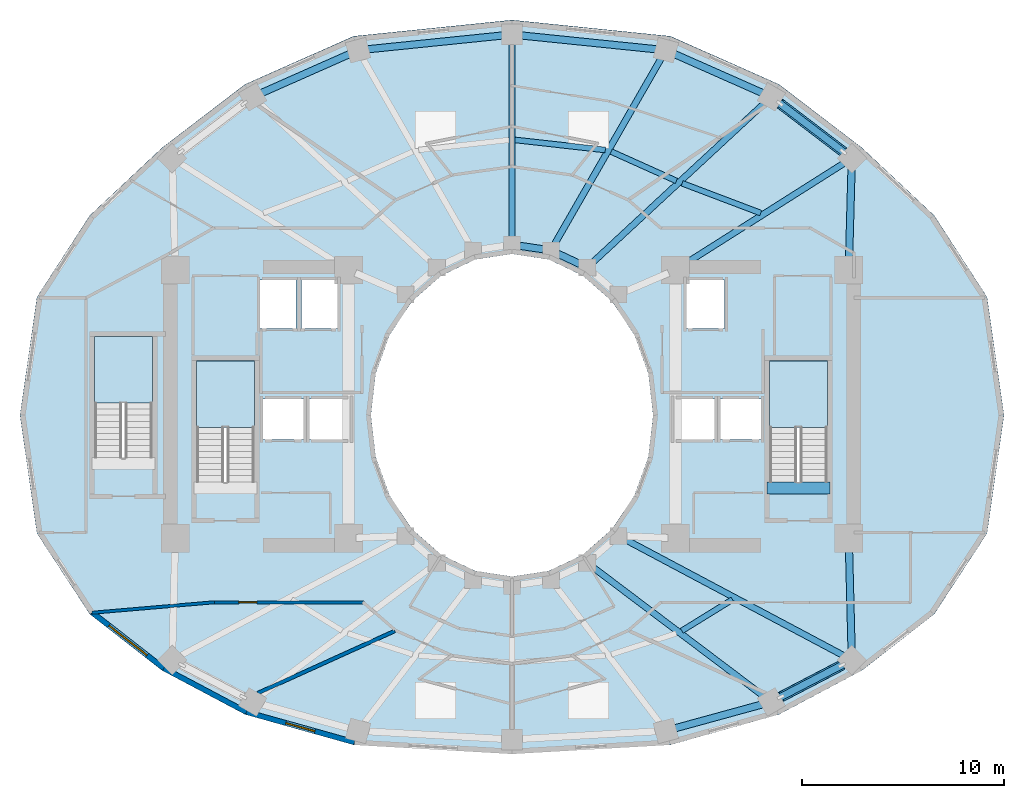
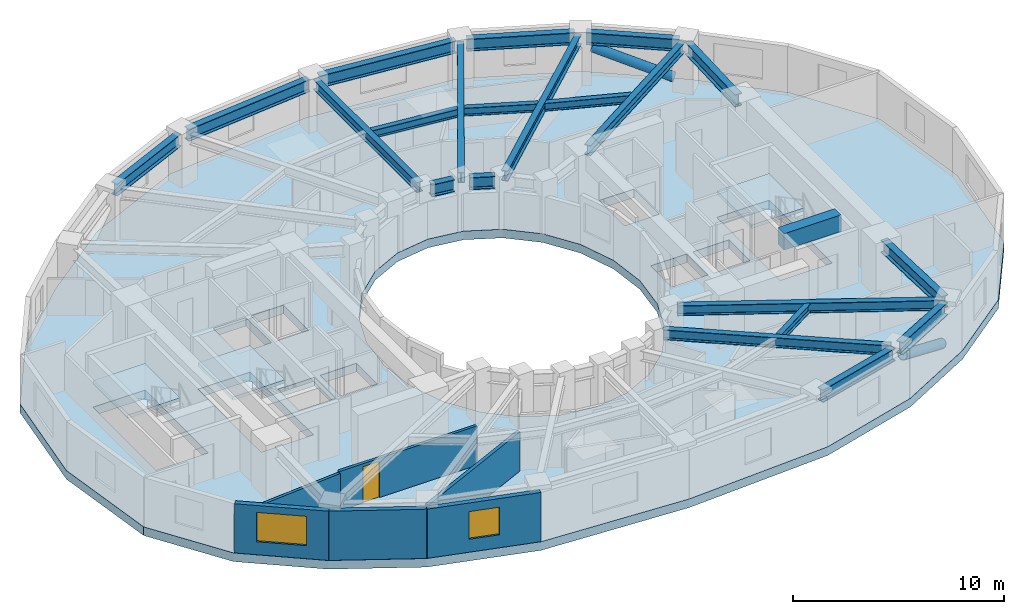
# One storey, part 2 of 9: 22 beams, 6 walls, 4 slabs, 2 members, 2 windows, 1 door, 3 openings, 3 elements without a shape of their own.
"""IFC4 building model written with IfcOpenShell, lengths in metres."""

from ifc_helpers import new_model, si_unit, direction, frame, frame_2d, origin, origin_2d, place, context, subcontext, project, spatial, polyline, rectangle, hollow_circle, i_section, outline, extrude, material, layer, layer_set, material_profile, profile_set, type_object, element, fill, aggregate, save


model = new_model("IFC4")

# Units and contexts
model_context = context("Model", 3, precision=1e-05, world=origin(), true_north=direction((0.0, 1.0)))
body_context = subcontext(model_context, "Body", "Model", "MODEL_VIEW")
ifc_project = project(units=[si_unit("LENGTHUNIT", "METRE"), si_unit("AREAUNIT", "SQUARE_METRE"), si_unit("VOLUMEUNIT", "CUBIC_METRE"), si_unit("PLANEANGLEUNIT", "RADIAN"), si_unit("MASSUNIT", "GRAM", prefix="KILO")], contexts=[model_context])

# Site, building, storey
site_placement = place(None, origin())
site = spatial("IfcSite", under=ifc_project, at=site_placement, CompositionType="ELEMENT")
building_placement = place(site_placement, origin())
building = spatial("IfcBuilding", under=site, at=building_placement, Name="Solvane Sanctuary Tower", CompositionType="ELEMENT")
storey_placement = place(building_placement, frame((0.0, 0.0, 113.5)))
storey = spatial("IfcBuildingStorey", under=building, at=storey_placement, Name="L34", CompositionType="ELEMENT", Elevation=113.5)

# Beams
ifc_material_1 = material(Name="Concrete C70/85", Category="concrete")
ifc_material_profile_1 = material_profile(ifc_material_1, rectangle(XDim=0.60009765625, YDim=0.949951171875, at=origin_2d()), Name="RC600X950")
ifc_profile_set_1 = profile_set([ifc_material_profile_1], Name="Concrete C70/85")
beam_type_1 = type_object("IfcBeamType", Name="Beam B-COUPLE RC600X950", PredefinedType="LINTEL", material=ifc_profile_set_1)
beam_1_placement = place(storey_placement, frame((44.64990234375, 19.399169921875, 2.625), z_axis=(1.0, 0.0, 0.0), x_axis=(0.0, 1.0, 0.0)))
element("IfcBeam", 1, at=beam_1_placement, inside=storey, type_object=beam_type_1, Name="L34 ST-2 Stair Floor Landing Trimmer", PredefinedType="LINTEL", context=body_context, shape_type="SweptSolid", body=[
    extrude(rectangle(XDim=0.60009765625, YDim=0.949951171875, at=origin_2d()), origin(), (0.0, 0.0, 1.0), 3.1201171875),
])
ifc_material_2 = material(Name="Steel ASTM A992 Grade 50", Category="steel")
ifc_material_profile_2 = material_profile(ifc_material_2, i_section(OverallWidth=0.31494140625, OverallDepth=0.575927734375, WebThickness=0.01513671875, FlangeThickness=0.0244140625, FilletRadius=0.014892578125, at=origin_2d()), Name="W21X122")
ifc_profile_set_2 = profile_set([ifc_material_profile_2], Name="Steel ASTM A992 Grade 50")
beam_type_2 = type_object("IfcBeamType", Name="Beam B-RAD-Z2 W21X122", PredefinedType="BEAM", material=ifc_profile_set_2)
beam_2_placement = place(storey_placement, frame((40.404052734375, 30.392578125, 2.590087890625), z_axis=(0.844853889678, 0.534997107558, 0.0), x_axis=(-0.534997107558, 0.844853889678, 0.0)))
element("IfcBeam", 2, at=beam_2_placement, inside=storey, type_object=beam_type_2, Name="L34 Radial Composite Floor Beam 01", PredefinedType="BEAM", context=body_context, shape_type="SweptSolid", body=[
    extrude(i_section(OverallWidth=0.31494140625, OverallDepth=0.575927734375, WebThickness=0.01513671875, FlangeThickness=0.0244140625, FilletRadius=0.014892578125, at=origin_2d()), origin(), (0.0, 0.0, 1.0), 9.720458984375),
])
beam_3_placement = place(storey_placement, frame((35.935302734375, 30.516845703125, 2.590087890625), z_axis=(0.733453775248, 0.679739332078, 0.0), x_axis=(-0.679739332078, 0.733453775248, 0.0)))
element("IfcBeam", 3, at=beam_3_placement, inside=storey, type_object=beam_type_2, Name="L34 Radial Composite Floor Beam 02", PredefinedType="BEAM", context=body_context, shape_type="SweptSolid", body=[
    extrude(i_section(OverallWidth=0.31494140625, OverallDepth=0.575927734375, WebThickness=0.01513671875, FlangeThickness=0.0244140625, FilletRadius=0.014892578125, at=origin_2d()), origin(), (0.0, 0.0, 1.0), 11.885498046875),
])
beam_4_placement = place(storey_placement, frame((34.0703125, 31.41455078125, 2.590087890625), z_axis=(0.497792245326, 0.8672963049, 0.0), x_axis=(-0.8672963049, 0.497792245326, 0.0)))
element("IfcBeam", 4, at=beam_4_placement, inside=storey, type_object=beam_type_2, Name="L34 Radial Composite Floor Beam 03", PredefinedType="BEAM", context=body_context, shape_type="SweptSolid", body=[
    extrude(i_section(OverallWidth=0.31494140625, OverallDepth=0.575927734375, WebThickness=0.01513671875, FlangeThickness=0.0244140625, FilletRadius=0.014892578125, at=origin_2d()), origin(), (0.0, 0.0, 1.0), 10.887451171875),
])
beam_5_placement = place(storey_placement, frame((32.0, 31.739990234375, 2.590087890625), z_axis=(0.0, 1.0, 0.0), x_axis=(-1.0, 0.0, 0.0)))
element("IfcBeam", 5, at=beam_5_placement, inside=storey, type_object=beam_type_2, Name="L34 Radial Composite Floor Beam 04", PredefinedType="BEAM", context=body_context, shape_type="SweptSolid", body=[
    extrude(i_section(OverallWidth=0.31494140625, OverallDepth=0.575927734375, WebThickness=0.01513671875, FlangeThickness=0.0244140625, FilletRadius=0.014892578125, at=origin_2d()), origin(), (0.0, 0.0, 1.0), 9.860107421875),
])
beam_6_placement = place(storey_placement, frame((35.95361328125, 15.504638671875, 2.590087890625), z_axis=(0.798116040134, -0.602503764703, 0.0), x_axis=(0.602503764703, 0.798116040134, 0.0)))
element("IfcBeam", 6, at=beam_6_placement, inside=storey, type_object=beam_type_2, Name="L34 Radial Composite Floor Beam 13", PredefinedType="BEAM", context=body_context, shape_type="SweptSolid", body=[
    extrude(i_section(OverallWidth=0.31494140625, OverallDepth=0.575927734375, WebThickness=0.01513671875, FlangeThickness=0.0244140625, FilletRadius=0.014892578125, at=origin_2d()), origin(), (0.0, 0.0, 1.0), 10.876953125),
])
beam_7_placement = place(storey_placement, frame((37.522216796875, 16.886474609375, 2.590087890625), z_axis=(0.882951984843, -0.469463302572, 0.0), x_axis=(0.469463302572, 0.882951984843, 0.0)))
element("IfcBeam", 7, at=beam_7_placement, inside=storey, type_object=beam_type_2, Name="L34 Radial Composite Floor Beam 14", PredefinedType="BEAM", context=body_context, shape_type="SweptSolid", body=[
    extrude(i_section(OverallWidth=0.31494140625, OverallDepth=0.575927734375, WebThickness=0.01513671875, FlangeThickness=0.0244140625, FilletRadius=0.014892578125, at=origin_2d()), origin(), (0.0, 0.0, 1.0), 12.552734375),
])
ifc_material_profile_3 = material_profile(ifc_material_2, i_section(OverallWidth=0.35498046875, OverallDepth=0.695068359375, WebThickness=0.015380859375, FlangeThickness=0.02490234375, FilletRadius=0.01806640625, at=origin_2d()), Name="W27X146")
ifc_profile_set_3 = profile_set([ifc_material_profile_3], Name="Steel ASTM A992 Grade 50")
beam_type_3 = type_object("IfcBeamType", Name="Beam B-RING-IN1 W27X146", PredefinedType="BEAM", material=ifc_profile_set_3)
beam_8_placement = place(storey_placement, frame((32.390625, 31.401611328125, 2.530517578125), z_axis=(0.989034751611, -0.147682971619, 0.0), x_axis=(0.147682971619, 0.989034751611, 0.0)))
element("IfcBeam", 8, at=beam_8_placement, inside=storey, type_object=beam_type_3, Name="L34 Inner Light-Well Ring Beam IC04-IC03", PredefinedType="BEAM", context=body_context, shape_type="SweptSolid", body=[
    extrude(i_section(OverallWidth=0.35498046875, OverallDepth=0.695068359375, WebThickness=0.015380859375, FlangeThickness=0.02490234375, FilletRadius=0.01806640625, at=origin_2d()), origin(), (0.0, 0.0, 1.0), 1.162109375),
])
beam_9_placement = place(storey_placement, frame((34.288330078125, 31.00390625, 2.530517578125), z_axis=(0.905044882818, -0.425316070804, 0.0), x_axis=(0.425316070804, 0.905044882818, 0.0)))
element("IfcBeam", 9, at=beam_9_placement, inside=storey, type_object=beam_type_3, Name="L34 Inner Light-Well Ring Beam IC03-IC02", PredefinedType="BEAM", context=body_context, shape_type="SweptSolid", body=[
    extrude(i_section(OverallWidth=0.35498046875, OverallDepth=0.695068359375, WebThickness=0.015380859375, FlangeThickness=0.02490234375, FilletRadius=0.01806640625, at=origin_2d()), origin(), (0.0, 0.0, 1.0), 1.197998046875),
])
ifc_material_profile_4 = material_profile(ifc_material_2, i_section(OverallWidth=0.280029296875, OverallDepth=0.462890625, WebThickness=0.0107421875, FlangeThickness=0.017333984375, FilletRadius=0.013916015625, at=origin_2d()), Name="W18X76")
ifc_profile_set_4 = profile_set([ifc_material_profile_4], Name="Steel ASTM A992 Grade 50")
beam_type_4 = type_object("IfcBeamType", Name="Beam B-SEC-JOIST W18X76", PredefinedType="JOIST", material=ifc_profile_set_4)
beam_10_placement = place(storey_placement, frame((32.151611328125, 36.653076171875, 2.646484375), z_axis=(0.993814804173, -0.111050146357, 0.0), x_axis=(0.111050146357, 0.993814804173, 0.0)))
element("IfcBeam", 10, at=beam_10_placement, inside=storey, type_object=beam_type_4, Name="L34 Secondary Circumferential Joist 04-03", PredefinedType="JOIST", context=body_context, shape_type="SweptSolid", body=[
    extrude(i_section(OverallWidth=0.280029296875, OverallDepth=0.462890625, WebThickness=0.0107421875, FlangeThickness=0.017333984375, FilletRadius=0.013916015625, at=origin_2d()), origin(), (0.0, 0.0, 1.0), 4.504638671875),
])
beam_11_placement = place(storey_placement, frame((36.919189453125, 36.073486328125, 2.646484375), z_axis=(0.912083673068, -0.410004113787, 0.0), x_axis=(0.410004113787, 0.912083673068, 0.0)))
element("IfcBeam", 11, at=beam_11_placement, inside=storey, type_object=beam_type_4, Name="L34 Secondary Circumferential Joist 03-02", PredefinedType="JOIST", context=body_context, shape_type="SweptSolid", body=[
    extrude(i_section(OverallWidth=0.280029296875, OverallDepth=0.462890625, WebThickness=0.0107421875, FlangeThickness=0.017333984375, FilletRadius=0.013916015625, at=origin_2d()), origin(), (0.0, 0.0, 1.0), 3.5478515625),
])
beam_12_placement = place(storey_placement, frame((40.436767578125, 34.50244140625, 2.646484375), z_axis=(0.93509327646, -0.354401699091, 0.0), x_axis=(0.354401699091, 0.93509327646, 0.0)))
element("IfcBeam", 12, at=beam_12_placement, inside=storey, type_object=beam_type_4, Name="L34 Secondary Circumferential Joist 02-01", PredefinedType="JOIST", context=body_context, shape_type="SweptSolid", body=[
    extrude(i_section(OverallWidth=0.280029296875, OverallDepth=0.462890625, WebThickness=0.0107421875, FlangeThickness=0.017333984375, FilletRadius=0.013916015625, at=origin_2d()), origin(), (0.0, 0.0, 1.0), 4.167724609375),
])
beam_13_placement = place(storey_placement, frame((40.423828125, 12.30810546875, 2.646484375), z_axis=(0.85065981691, 0.525716535687, 0.0), x_axis=(-0.525716535687, 0.85065981691, 0.0)))
element("IfcBeam", 13, at=beam_13_placement, inside=storey, type_object=beam_type_4, Name="L34 Secondary Circumferential Joist 13-14", PredefinedType="JOIST", context=body_context, shape_type="SweptSolid", body=[
    extrude(i_section(OverallWidth=0.280029296875, OverallDepth=0.462890625, WebThickness=0.0107421875, FlangeThickness=0.017333984375, FilletRadius=0.013916015625, at=origin_2d()), origin(), (0.0, 0.0, 1.0), 2.951171875),
])
ifc_material_profile_5 = material_profile(ifc_material_2, i_section(OverallWidth=0.35791015625, OverallDepth=0.7060546875, WebThickness=0.018310546875, FlangeThickness=0.0302734375, FilletRadius=0.01806640625, at=origin_2d()), Name="W27X178")
ifc_profile_set_5 = profile_set([ifc_material_profile_5], Name="Steel ASTM A992 Grade 50")
beam_type_5 = type_object("IfcBeamType", Name="Beam B-SPAND-Z2 W27X178", PredefinedType="SPANDREL", material=ifc_profile_set_5)
beam_14_placement = place(storey_placement, frame((19.397705078125, 38.8994140625, 2.52490234375), z_axis=(0.914454505181, 0.404688717355, 0.0), x_axis=(-0.404688717355, 0.914454505181, 0.0)))
element("IfcBeam", 14, at=beam_14_placement, inside=storey, type_object=beam_type_5, Name="L34 Perimeter Spandrel Beam TC06-TC05", PredefinedType="SPANDREL", context=body_context, shape_type="SweptSolid", body=[
    extrude(i_section(OverallWidth=0.35791015625, OverallDepth=0.7060546875, WebThickness=0.018310546875, FlangeThickness=0.0302734375, FilletRadius=0.01806640625, at=origin_2d()), origin(), (0.0, 0.0, 1.0), 5.157958984375),
])
for number, where, z_axis, x_axis, name in (
    (15, (24.649169921875, 41.12841796875, 2.52490234375), (0.994813029025, 0.101720387737, 0.0), (-0.101720387737, 0.994813029025, 0.0), "L34 Perimeter Spandrel Beam TC05-TC04"),
    (16, (32.278564453125, 41.8515625, 2.52490234375), (0.994813029025, -0.101720387737, 0.0), (0.101720387737, 0.994813029025, 0.0), "L34 Perimeter Spandrel Beam TC04-TC03"),
):
    element("IfcBeam", number, at=place(storey_placement, frame(where, z_axis=z_axis, x_axis=x_axis)), inside=storey, type_object=beam_type_5, Name=name, PredefinedType="SPANDREL", context=body_context, shape_type="SweptSolid", body=[
        extrude(i_section(OverallWidth=0.35791015625, OverallDepth=0.7060546875, WebThickness=0.018310546875, FlangeThickness=0.0302734375, FilletRadius=0.01806640625, at=origin_2d()), origin(), (0.0, 0.0, 1.0), 7.109130859375),
    ])
beam_15_placement = place(storey_placement, frame((39.885498046875, 40.98681640625, 2.52490234375), z_axis=(0.914454505181, -0.404688717355, 0.0), x_axis=(0.404688717355, 0.914454505181, 0.0)))
element("IfcBeam", 17, at=beam_15_placement, inside=storey, type_object=beam_type_5, Name="L34 Perimeter Spandrel Beam TC03-TC02", PredefinedType="SPANDREL", context=body_context, shape_type="SweptSolid", body=[
    extrude(i_section(OverallWidth=0.35791015625, OverallDepth=0.7060546875, WebThickness=0.018310546875, FlangeThickness=0.0302734375, FilletRadius=0.01806640625, at=origin_2d()), origin(), (0.0, 0.0, 1.0), 5.157958984375),
])
beam_16_placement = place(storey_placement, frame((45.0810546875, 38.616455078125, 2.52490234375), z_axis=(0.795473167932, -0.605988811036, 0.0), x_axis=(0.605988811036, 0.795473167932, 0.0)))
element("IfcBeam", 18, at=beam_16_placement, inside=storey, type_object=beam_type_5, Name="L34 Perimeter Spandrel Beam TC02-TC01", PredefinedType="SPANDREL", context=body_context, shape_type="SweptSolid", body=[
    extrude(i_section(OverallWidth=0.35791015625, OverallDepth=0.7060546875, WebThickness=0.018310546875, FlangeThickness=0.0302734375, FilletRadius=0.01806640625, at=origin_2d()), origin(), (0.0, 0.0, 1.0), 4.4619140625),
])
beam_17_placement = place(storey_placement, frame((48.84521484375, 35.462890625, 2.52490234375), z_axis=(-0.027574028772, -0.999619764179, 0.0), x_axis=(0.999619764179, -0.027574028772, 0.0)))
element("IfcBeam", 19, at=beam_17_placement, inside=storey, type_object=beam_type_5, Name="L34 Perimeter Spandrel Beam TC01-CE3", PredefinedType="SPANDREL", context=body_context, shape_type="SweptSolid", body=[
    extrude(i_section(OverallWidth=0.35791015625, OverallDepth=0.7060546875, WebThickness=0.018310546875, FlangeThickness=0.0302734375, FilletRadius=0.01806640625, at=origin_2d()), origin(), (0.0, 0.0, 1.0), 4.98486328125),
])
beam_18_placement = place(storey_placement, frame((39.8994140625, 7.422119140625, 2.52490234375), z_axis=(0.964367605241, 0.26456591232, 0.0), x_axis=(-0.26456591232, 0.964367605241, 0.0)))
element("IfcBeam", 20, at=beam_18_placement, inside=storey, type_object=beam_type_5, Name="L34 Perimeter Spandrel Beam TC12-TC13", PredefinedType="SPANDREL", context=body_context, shape_type="SweptSolid", body=[
    extrude(i_section(OverallWidth=0.35791015625, OverallDepth=0.7060546875, WebThickness=0.018310546875, FlangeThickness=0.0302734375, FilletRadius=0.01806640625, at=origin_2d()), origin(), (0.0, 0.0, 1.0), 4.8623046875),
])
beam_19_placement = place(storey_placement, frame((45.106689453125, 8.911865234375, 2.52490234375), z_axis=(0.887014995188, 0.461740618002, 0.0), x_axis=(-0.461740618002, 0.887014995188, 0.0)))
element("IfcBeam", 21, at=beam_19_placement, inside=storey, type_object=beam_type_5, Name="L34 Perimeter Spandrel Beam TC13-TC14", PredefinedType="SPANDREL", context=body_context, shape_type="SweptSolid", body=[
    extrude(i_section(OverallWidth=0.35791015625, OverallDepth=0.7060546875, WebThickness=0.018310546875, FlangeThickness=0.0302734375, FilletRadius=0.01806640625, at=origin_2d()), origin(), (0.0, 0.0, 1.0), 3.943359375),
])
beam_20_placement = place(storey_placement, frame((48.845947265625, 11.141845703125, 2.52490234375), z_axis=(-0.025349487585, 0.999678650107, 0.0), x_axis=(-0.999678650107, -0.025349487585, 0.0)))
element("IfcBeam", 22, at=beam_20_placement, inside=storey, type_object=beam_type_5, Name="L34 Perimeter Spandrel Beam TC14-CE2", PredefinedType="SPANDREL", context=body_context, shape_type="SweptSolid", body=[
    extrude(i_section(OverallWidth=0.35791015625, OverallDepth=0.7060546875, WebThickness=0.018310546875, FlangeThickness=0.0302734375, FilletRadius=0.01806640625, at=origin_2d()), origin(), (0.0, 0.0, 1.0), 5.47998046875),
])

# Members
ifc_material_profile_6 = material_profile(ifc_material_2, hollow_circle(Radius=0.25390625, WallThickness=0.01611328125, at=origin_2d()), Name="CHS508X16")
ifc_profile_set_6 = profile_set([ifc_material_profile_6], Name="Steel ASTM A992 Grade 50")
member_type = type_object("IfcMemberType", Name="Member M-TUBE-Z2 CHS508X16", PredefinedType="BRACE", material=ifc_profile_set_6)
member_1_placement = place(storey_placement, frame((48.424072265625, 36.069580078125, 0.572509765625), z_axis=(-0.749184797481, 0.570779701738, 0.336054565967), x_axis=(-0.606024564443, -0.795445929836, 0.0)))
element("IfcMember", 23, at=member_1_placement, inside=storey, type_object=member_type, Name="L34 Perimeter Braced-Tube Diagonal NE", PredefinedType="BRACE", context=body_context, shape_type="SweptSolid", body=[
    extrude(hollow_circle(Radius=0.25390625, WallThickness=0.01611328125, at=origin_2d()), origin(), (0.0, 0.0, 1.0), 4.1875),
])
member_2_placement = place(storey_placement, frame((48.3564453125, 10.603515625, 0.602783203125), z_axis=(-0.824140553465, -0.429072126665, 0.369715374651), x_axis=(0.461792399626, -0.886988038052, 0.0)))
element("IfcMember", 24, at=member_2_placement, inside=storey, type_object=member_type, Name="L34 Perimeter Braced-Tube Diagonal SE", PredefinedType="BRACE", context=body_context, shape_type="SweptSolid", body=[
    extrude(hollow_circle(Radius=0.25390625, WallThickness=0.01611328125, at=origin_2d()), origin(), (0.0, 0.0, 1.0), 3.6689453125),
])

# Stair, slab
ifc_material_3 = material(Name="Concrete C45/55", Category="concrete")
stair_type = type_object("IfcStairType", Name="Stair ST-TOW", PredefinedType="HALF_TURN_STAIR", material=ifc_material_3)
stair_1_placement = place(storey_placement, origin())
stair_1 = element("IfcStair", 25, at=stair_1_placement, inside=storey, type_object=stair_type, Name="L34 Exit Stair ST-1 West Core", PredefinedType="HALF_TURN_STAIR")
ifc_layer_1 = layer(ifc_material_3, 0.199951171875, Name="Concrete C45/55")
ifc_layer_set_1 = layer_set([ifc_layer_1], Name="Concrete C45/55")
slab_type_1 = type_object("IfcSlabType", Name="Slab SL-LAND-180", PredefinedType="LANDING", material=ifc_layer_set_1)
slab_1_placement = place(storey_placement, frame((0.0, 0.0, 1.35009765625)))
slab_1 = element("IfcSlab", 26, at=slab_1_placement, type_object=slab_type_1, Name="ST-1 landing 1", PredefinedType="LANDING", context=body_context, shape_type="SweptSolid", body=[
    extrude(outline(polyline([(19.219970703125, 22.39990234375), (19.219970703125, 25.699951171875), (16.360107421875, 25.699951171875), (16.360107421875, 22.39990234375), (19.219970703125, 22.39990234375)])), origin(), (0.0, 0.0, 1.0), 0.199951171875),
])
aggregate(stair_1, [slab_1])

stair_2_placement = place(storey_placement, origin())
stair_2 = element("IfcStair", 27, at=stair_2_placement, inside=storey, type_object=stair_type, Name="L34 Exit Stair ST-2 East Core", PredefinedType="HALF_TURN_STAIR")
slab_2_placement = place(storey_placement, frame((0.0, 0.0, 1.35009765625)))
slab_2 = element("IfcSlab", 28, at=slab_2_placement, type_object=slab_type_1, Name="ST-2 landing 1", PredefinedType="LANDING", context=body_context, shape_type="SweptSolid", body=[
    extrude(outline(polyline([(47.639892578125, 22.39990234375), (47.639892578125, 25.699951171875), (44.780029296875, 25.699951171875), (44.780029296875, 22.39990234375), (47.639892578125, 22.39990234375)])), origin(), (0.0, 0.0, 1.0), 0.199951171875),
])
aggregate(stair_2, [slab_2])

stair_3_placement = place(storey_placement, origin())
stair_3 = element("IfcStair", 29, at=stair_3_placement, inside=storey, type_object=stair_type, Name="L34 Exit Stair ST-3 Pilgrim Tower Stair", PredefinedType="HALF_TURN_STAIR")
slab_3_placement = place(storey_placement, frame((0.0, 0.0, 1.35009765625)))
slab_3 = element("IfcSlab", 30, at=slab_3_placement, type_object=slab_type_1, Name="ST-3 landing 1", PredefinedType="LANDING", context=body_context, shape_type="SweptSolid", body=[
    extrude(outline(polyline([(14.159912109375, 23.60009765625), (14.159912109375, 26.89990234375), (11.300048828125, 26.89990234375), (11.300048828125, 23.60009765625), (14.159912109375, 23.60009765625)])), origin(), (0.0, 0.0, 1.0), 0.199951171875),
])
aggregate(stair_3, [slab_3])

# Slab
ifc_material_4 = material(Name="Concrete C60/75", Category="concrete")
ifc_layer_2 = layer(ifc_material_4, 0.5, Name="Concrete C60/75")
ifc_layer_set_2 = layer_set([ifc_layer_2], Name="Concrete C60/75")
slab_type_2 = type_object("IfcSlabType", Name="Slab SL-XFER-500", PredefinedType="FLOOR", material=ifc_layer_set_2)
slab_4_placement = place(storey_placement, frame((0.0, 0.0, -0.5)))
element("IfcSlab", 31, at=slab_4_placement, inside=storey, type_object=slab_type_2, Name="L34 Primary Structural Slab", PredefinedType="FLOOR", context=body_context, shape_type="SweptSolid", body=[
    extrude(outline(polyline([(56.39990234375, 23.0), (55.556884765625, 28.86376953125), (52.94091796875, 32.903076171875), (49.365478515625, 36.255126953125), (45.249267578125, 39.404296875), (39.861328125, 41.795166015625), (32.0, 42.60009765625), (24.138671875, 41.795166015625), (18.750732421875, 39.404296875), (14.634521484375, 36.255126953125), (11.05908203125, 32.903076171875), (8.443115234375, 28.86376953125), (7.60009765625, 23.0), (8.443115234375, 17.13623046875), (11.05908203125, 13.1376953125), (14.634521484375, 10.349609375), (18.750732421875, 8.16455078125), (24.138671875, 6.652587890625), (32.0, 6.199951171875), (39.861328125, 6.652587890625), (45.249267578125, 8.16455078125), (49.365478515625, 10.349609375), (52.94091796875, 13.1376953125), (55.556884765625, 17.13623046875), (56.39990234375, 23.0)]), holes=[polyline([(38.761474609375, 20.929443359375), (38.062255859375, 19.0), (36.94970703125, 17.343017578125), (35.5, 16.07177734375), (33.811767578125, 15.272705078125), (32.0, 15.0), (30.188232421875, 15.272705078125), (28.5, 16.07177734375), (27.05029296875, 17.343017578125), (25.937744140625, 19.0), (25.238525390625, 20.929443359375), (25.0, 23.0), (25.238525390625, 25.070556640625), (25.937744140625, 27.0), (27.05029296875, 28.656982421875), (28.5, 29.92822265625), (30.188232421875, 30.727294921875), (32.0, 31.0), (33.811767578125, 30.727294921875), (35.5, 29.92822265625), (36.94970703125, 28.656982421875), (38.062255859375, 27.0), (38.761474609375, 25.070556640625), (39.0, 23.0), (38.761474609375, 20.929443359375)]), polyline([(16.360107421875, 19.699951171875), (16.360107421875, 25.699951171875), (19.219970703125, 25.699951171875), (19.219970703125, 19.699951171875), (16.360107421875, 19.699951171875)]), polyline([(44.780029296875, 19.699951171875), (44.780029296875, 25.699951171875), (47.639892578125, 25.699951171875), (47.639892578125, 19.699951171875), (44.780029296875, 19.699951171875)]), polyline([(11.300048828125, 20.89990234375), (11.300048828125, 26.89990234375), (14.159912109375, 26.89990234375), (14.159912109375, 20.89990234375), (11.300048828125, 20.89990234375)]), polyline([(19.64990234375, 23.800048828125), (21.64990234375, 23.800048828125), (21.64990234375, 21.800048828125), (19.64990234375, 21.800048828125), (19.64990234375, 23.800048828125)]), polyline([(42.35009765625, 23.800048828125), (44.35009765625, 23.800048828125), (44.35009765625, 21.800048828125), (42.35009765625, 21.800048828125), (42.35009765625, 23.800048828125)]), polyline([(21.949951171875, 23.800048828125), (23.949951171875, 23.800048828125), (23.949951171875, 21.800048828125), (21.949951171875, 21.800048828125), (21.949951171875, 23.800048828125)]), polyline([(40.050048828125, 23.800048828125), (42.050048828125, 23.800048828125), (42.050048828125, 21.800048828125), (40.050048828125, 21.800048828125), (40.050048828125, 23.800048828125)]), polyline([(19.5, 29.699951171875), (21.300048828125, 29.699951171875), (21.300048828125, 27.300048828125), (19.5, 27.300048828125), (19.5, 29.699951171875)]), polyline([(21.550048828125, 29.699951171875), (23.35009765625, 29.699951171875), (23.35009765625, 27.300048828125), (21.550048828125, 27.300048828125), (21.550048828125, 29.699951171875)]), polyline([(40.64990234375, 29.699951171875), (42.550048828125, 29.699951171875), (42.550048828125, 27.300048828125), (40.64990234375, 27.300048828125), (40.64990234375, 29.699951171875)])]), origin(), (0.0, 0.0, 1.0), 0.5),
])

# Wall, opening, door
ifc_material_5 = material(Name="Acoustic Gypsum Partition Board")
ifc_layer_3 = layer(ifc_material_5, 0.14990234375, Name="Acoustic Gypsum Partition Board")
ifc_layer_set_3 = layer_set([ifc_layer_3], Name="Acoustic Gypsum Partition Board")
wall_type_1 = type_object("IfcWallType", Name="Wall W-CORR-150", PredefinedType="PARTITIONING", material=ifc_layer_set_3)
wall_1_placement = place(storey_placement, frame((17.14990234375, 13.719970703125, 0.0), z_axis=(0.0, 0.0, 1.0), x_axis=(1.0, 0.0, 0.0)))
wall_1 = element("IfcWall", 32, at=wall_1_placement, inside=storey, type_object=wall_type_1, Name="L34 SW Corner Corridor Wall", PredefinedType="PARTITIONING", context=body_context, shape_type="SweptSolid", body=[
    extrude(rectangle(XDim=7.52001953125, YDim=0.14990234375, at=frame_2d((3.760009765625, 0.0))), origin(), (0.0, 0.0, 1.0), 2.27197265625),
])
opening_1_placement = place(wall_1_placement, frame((1.300048828125, 0.0, 0.0)))
opening_1 = element("IfcOpeningElement", 33, at=opening_1_placement, cuts=wall_1, Name="Opening D-L34-15", PredefinedType="OPENING", context=body_context, shape_type="SweptSolid", body=[
    extrude(rectangle(XDim=0.89990234375, YDim=2.10009765625, at=frame_2d((0.449951171875, 1.050048828125))), frame((0.0, 0.0849609375, 0.0), z_axis=(0.0, -1.0, 0.0), x_axis=(1.0, 0.0, 0.0)), (0.0, 0.0, 1.0), 0.169921875),
])
ifc_material_6 = material(Name="Engineered Tropical Hardwood", Category="wood")
door_type = type_object("IfcDoorType", Name="Door D-WET-900", OperationType="NOTDEFINED", PredefinedType="DOOR", material=ifc_material_6)
door_placement = place(opening_1_placement, origin())
door = element("IfcDoor", 34, at=door_placement, inside=storey, type_object=door_type, Name="L34 SW Corner Salon Door", OperationType="SINGLE_SWING_RIGHT", OverallHeight=2.10009765625, OverallWidth=0.89990234375, PredefinedType="DOOR", context=body_context, shape_type="SweptSolid", body=[
    extrude(rectangle(XDim=0.89990234375, YDim=2.10009765625, at=frame_2d((0.449951171875, 1.050048828125))), frame((0.0, 0.02490234375, 0.0), z_axis=(0.0, -1.0, 0.0), x_axis=(1.0, 0.0, 0.0)), (0.0, 0.0, 1.0), 0.050048828125),
])
fill(opening_1, door)

# Wall
wall_2_placement = place(storey_placement, frame((17.249755859375, 13.724365234375, 0.0), z_axis=(0.0, 0.0, 1.0), x_axis=(-0.996341886029, -0.085456691633, 0.0)))
element("IfcWall", 35, at=wall_2_placement, inside=storey, type_object=wall_type_1, Name="L34 SW Corner Wing Wall", PredefinedType="PARTITIONING", context=body_context, shape_type="SweptSolid", body=[
    extrude(rectangle(XDim=6.108154296875, YDim=0.14990234375, at=frame_2d((3.05419921875, 0.0))), origin(), (0.0, 0.0, 1.0), 2.14208984375),
])

# Wall, opening, window
ifc_material_7 = material(Name="Precast concrete C40/50", Category="concrete")
ifc_layer_4 = layer(ifc_material_7, 0.260009765625, Name="Precast concrete C40/50")
ifc_layer_set_4 = layer_set([ifc_layer_4], Name="Precast concrete C40/50")
wall_type_2 = type_object("IfcWallType", Name="Wall W-EXT-250", PredefinedType="STANDARD", material=ifc_layer_set_4)
wall_3_placement = place(storey_placement, frame((11.179443359375, 13.213623046875, 0.0), z_axis=(0.0, 0.0, 1.0), x_axis=(0.789127449954, -0.614229491094, 0.0)))
wall_3 = element("IfcWall", 36, at=wall_3_placement, inside=storey, type_object=wall_type_2, Name="L34 Ceramic-Printed Facade Wall 14", PredefinedType="STANDARD", context=body_context, shape_type="SweptSolid", body=[
    extrude(rectangle(XDim=4.504638671875, YDim=0.260009765625, at=frame_2d((2.25244140625, 0.0))), origin(), (0.0, 0.0, 1.0), 2.85009765625),
])
opening_2_placement = place(wall_3_placement, frame((1.05224609375, 0.0, 0.75)))
opening_2 = element("IfcOpeningElement", 37, at=opening_2_placement, cuts=wall_3, Name="Opening WN-RIB-2400", PredefinedType="OPENING", context=body_context, shape_type="SweptSolid", body=[
    extrude(rectangle(XDim=2.39990234375, YDim=1.699951171875, at=frame_2d((1.199951171875, 0.85009765625))), frame((0.0, 0.139892578125, 0.0), z_axis=(0.0, -1.0, 0.0), x_axis=(1.0, 0.0, 0.0)), (0.0, 0.0, 1.0), 0.280029296875),
])
ifc_material_8 = material(Name="Dark Ceramic-Fritted Low-E Glass", Category="glass")
window_type_1 = type_object("IfcWindowType", Name="Window WN-RIB-2400", PartitioningType="SINGLE_PANEL", PredefinedType="WINDOW", material=ifc_material_8)
window_1_placement = place(opening_2_placement, origin())
window_1 = element("IfcWindow", 38, at=window_1_placement, inside=storey, type_object=window_type_1, Name="L34 Operable Facade Window 14", OverallHeight=1.699951171875, OverallWidth=2.39990234375, PartitioningType="SINGLE_PANEL", PredefinedType="WINDOW", context=body_context, shape_type="SweptSolid", body=[
    extrude(rectangle(XDim=2.39990234375, YDim=1.699951171875, at=frame_2d((1.199951171875, 0.85009765625))), frame((0.0, 0.030029296875, 0.0), z_axis=(0.0, -1.0, 0.0), x_axis=(1.0, 0.0, 0.0)), (0.0, 0.0, 1.0), 0.06005859375),
])
fill(opening_2, window_1)

# Wall
wall_4_placement = place(storey_placement, frame((14.734130859375, 10.44677734375, 0.0), z_axis=(0.0, 0.0, 1.0), x_axis=(0.883668636807, -0.4681129568, 0.0)))
element("IfcWall", 39, at=wall_4_placement, inside=storey, type_object=wall_type_2, Name="L34 Ceramic-Printed Facade Wall 15", PredefinedType="STANDARD", context=body_context, shape_type="SweptSolid", body=[
    extrude(rectangle(XDim=4.63134765625, YDim=0.260009765625, at=frame_2d((2.315673828125, 0.0))), origin(), (0.0, 0.0, 1.0), 2.85009765625),
])

# Wall, opening, window
wall_5_placement = place(storey_placement, frame((18.82666015625, 8.27880859375, 0.0), z_axis=(0.0, 0.0, 1.0), x_axis=(0.962938491413, -0.269721081407, 0.0)))
wall_5 = element("IfcWall", 40, at=wall_5_placement, inside=storey, type_object=wall_type_2, Name="L34 Ceramic-Printed Facade Wall 16", PredefinedType="STANDARD", context=body_context, shape_type="SweptSolid", body=[
    extrude(rectangle(XDim=5.563232421875, YDim=0.260009765625, at=frame_2d((2.78173828125, 0.0))), origin(), (0.0, 0.0, 1.0), 2.85009765625),
])
opening_3_placement = place(wall_5_placement, frame((2.031494140625, 0.0, 0.75)))
opening_3 = element("IfcOpeningElement", 41, at=opening_3_placement, cuts=wall_5, Name="Opening WN-OPER-1500", PredefinedType="OPENING", context=body_context, shape_type="SweptSolid", body=[
    extrude(rectangle(XDim=1.5, YDim=1.60009765625, at=frame_2d((0.75, 0.800048828125))), frame((0.0, 0.139892578125, 0.0), z_axis=(0.0, -1.0, 0.0), x_axis=(1.0, 0.0, 0.0)), (0.0, 0.0, 1.0), 0.280029296875),
])
window_type_2 = type_object("IfcWindowType", Name="Window WN-OPER-1500", PartitioningType="SINGLE_PANEL", PredefinedType="WINDOW", material=ifc_material_8)
window_2_placement = place(opening_3_placement, origin())
window_2 = element("IfcWindow", 42, at=window_2_placement, inside=storey, type_object=window_type_2, Name="L34 Operable Facade Window 16", OverallHeight=1.60009765625, OverallWidth=1.5, PartitioningType="SINGLE_PANEL", PredefinedType="WINDOW", context=body_context, shape_type="SweptSolid", body=[
    extrude(rectangle(XDim=1.5, YDim=1.60009765625, at=frame_2d((0.75, 0.800048828125))), frame((0.0, 0.030029296875, 0.0), z_axis=(0.0, -1.0, 0.0), x_axis=(1.0, 0.0, 0.0)), (0.0, 0.0, 1.0), 0.06005859375),
])
fill(opening_3, window_2)

# Wall
ifc_layer_5 = layer(ifc_material_5, 0.179931640625, Name="Acoustic Gypsum Partition Board")
ifc_layer_set_5 = layer_set([ifc_layer_5], Name="Acoustic Gypsum Partition Board")
wall_type_3 = type_object("IfcWallType", Name="Wall W-UNIT-180", PredefinedType="PARTITIONING", material=ifc_layer_set_5)
wall_6_placement = place(storey_placement, frame((26.184814453125, 12.29931640625, 0.0), z_axis=(0.0, 0.0, 1.0), x_axis=(-0.910720488346, -0.413023234342, 0.0)))
element("IfcWall", 43, at=wall_6_placement, inside=storey, type_object=wall_type_3, Name="L34 Radial Compartment Wall 240", PredefinedType="PARTITIONING", context=body_context, shape_type="SweptSolid", body=[
    extrude(rectangle(XDim=7.456298828125, YDim=0.179931640625, at=frame_2d((3.72802734375, 0.0))), origin(), (0.0, 0.0, 1.0), 2.27197265625),
])

save(model, "model.ifc")
